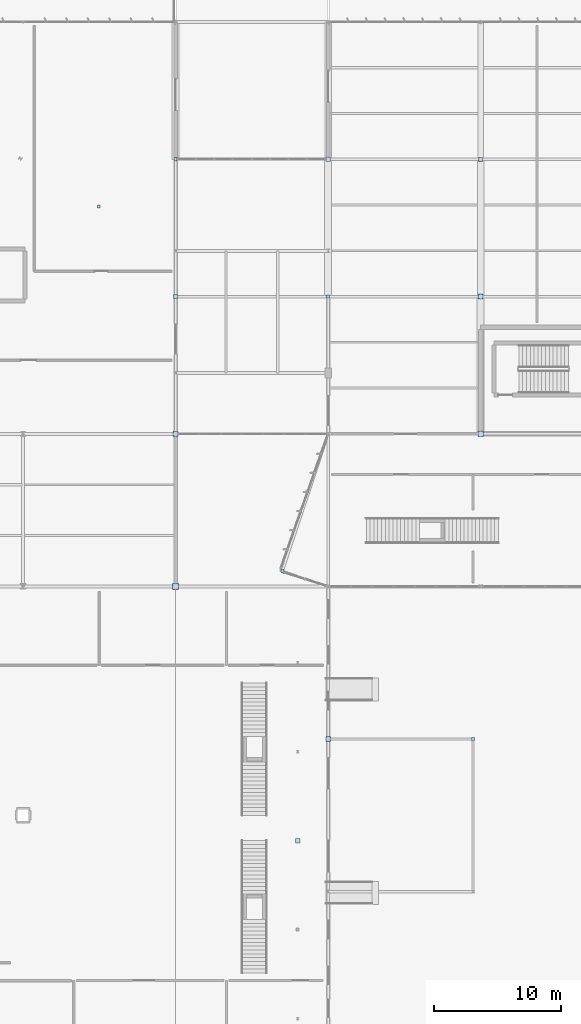
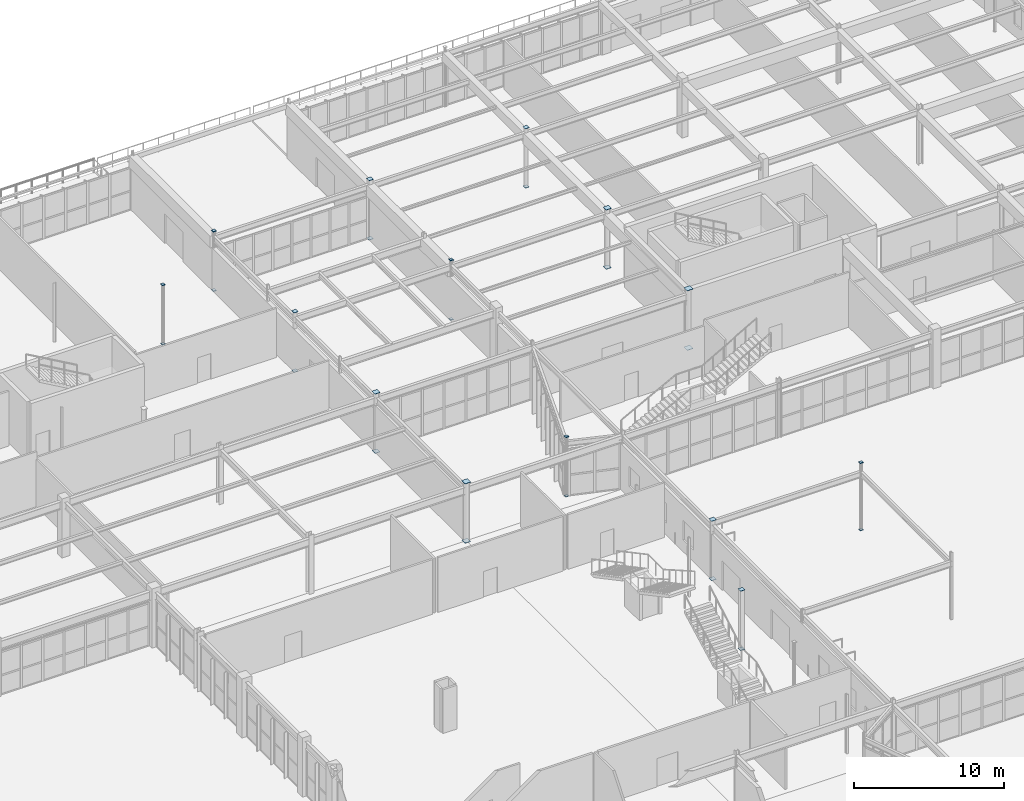
# One storey, part 150 of 199: 28 plates.
"""IFC4 building model written with IfcOpenShell, lengths in metres."""

from ifc_helpers import new_model, si_unit, direction, frame, origin, origin_2d, place, context, subcontext, project, spatial, rectangle, extrude, material, layer, layer_set, type_object, element, save


model = new_model("IFC4")

# Units and contexts
model_context = context("Model", 3, precision=1e-05, world=origin(), true_north=direction((0.0, 1.0)))
body_context = subcontext(model_context, "Body", "Model", "MODEL_VIEW")
ifc_project = project(units=[si_unit("LENGTHUNIT", "METRE"), si_unit("AREAUNIT", "SQUARE_METRE"), si_unit("VOLUMEUNIT", "CUBIC_METRE"), si_unit("PLANEANGLEUNIT", "RADIAN"), si_unit("MASSUNIT", "GRAM", prefix="KILO")], contexts=[model_context])

# Site, building, storey
site_placement = place(None, origin())
site = spatial("IfcSite", under=ifc_project, at=site_placement, CompositionType="ELEMENT")
building_placement = place(site_placement, origin())
building = spatial("IfcBuilding", under=site, at=building_placement, Name="Tarnwether General Hospital", CompositionType="ELEMENT")
storey_placement = place(building_placement, origin())
storey = spatial("IfcBuildingStorey", under=building, at=storey_placement, Name="L00", CompositionType="ELEMENT", Elevation=0.0)

# Plates
ifc_material = material(Name="Steel Grade 350 (350 MPa)", Category="steel")
ifc_layer = layer(ifc_material, 0.02490234375)
ifc_layer_set = layer_set([ifc_layer], Name="Steel Grade 350 (350 MPa)")
plate_type = type_object("IfcPlateType", Name="PT-GUS2", PredefinedType="USERDEFINED", material=ifc_layer_set)
for number, where, z_axis, x_axis, name in (
    (1, (132.0, 81.60009765625, -0.02490234375), (0.0, 0.0, 1.0), (1.0, 0.0, 0.0), "Hollow Section Welded End Cap Plate 0231"),
    (2, (132.0, 81.60009765625, 4.800048828125), (0.0, 0.0, 1.0), (1.0, 0.0, 0.0), "Hollow Section Welded End Cap Plate 0232"),
):
    element("IfcPlate", number, at=place(storey_placement, frame(where, z_axis=z_axis, x_axis=x_axis)), inside=storey, type_object=plate_type, Name=name, ObjectType="GUSSET", PredefinedType="USERDEFINED", context=body_context, shape_type="SweptSolid", body=[
        extrude(rectangle(XDim=0.446044921875, YDim=0.446044921875, at=origin_2d()), origin(), (0.0, 0.0, 1.0), 0.02490234375),
    ])
for number, where, z_axis, x_axis, name in (
    (3, (132.0, 93.60009765625, -0.02490234375), (0.0, 0.0, 1.0), (1.0, 0.0, 0.0), "Hollow Section Welded End Cap Plate 0239"),
    (4, (132.0, 93.60009765625, 4.800048828125), (0.0, 0.0, 1.0), (1.0, 0.0, 0.0), "Hollow Section Welded End Cap Plate 0240"),
):
    element("IfcPlate", number, at=place(storey_placement, frame(where, z_axis=z_axis, x_axis=x_axis)), inside=storey, type_object=plate_type, Name=name, ObjectType="GUSSET", PredefinedType="USERDEFINED", context=body_context, shape_type="SweptSolid", body=[
        extrude(rectangle(XDim=0.39599609375, YDim=0.39599609375, at=origin_2d()), origin(), (0.0, 0.0, 1.0), 0.02490234375),
    ])
for number, where, z_axis, x_axis, name in (
    (5, (132.0, 104.39990234375, -0.02490234375), (0.0, 0.0, 1.0), (1.0, 0.0, 0.0), "Hollow Section Welded End Cap Plate 0247"),
    (6, (132.0, 104.39990234375, 4.800048828125), (0.0, 0.0, 1.0), (1.0, 0.0, 0.0), "Hollow Section Welded End Cap Plate 0248"),
):
    element("IfcPlate", number, at=place(storey_placement, frame(where, z_axis=z_axis, x_axis=x_axis)), inside=storey, type_object=plate_type, Name=name, ObjectType="GUSSET", PredefinedType="USERDEFINED", context=body_context, shape_type="SweptSolid", body=[
        extrude(rectangle(XDim=0.31298828125, YDim=0.31298828125, at=origin_2d()), origin(), (0.0, 0.0, 1.0), 0.02490234375),
    ])
for number, where, z_axis, x_axis, name in (
    (7, (132.0, 115.199951171875, -0.02490234375), (0.0, 0.0, 1.0), (1.0, 0.0, 0.0), "Hollow Section Welded End Cap Plate 0255"),
    (8, (132.0, 115.199951171875, 4.800048828125), (0.0, 0.0, 1.0), (1.0, 0.0, 0.0), "Hollow Section Welded End Cap Plate 0256"),
):
    element("IfcPlate", number, at=place(storey_placement, frame(where, z_axis=z_axis, x_axis=x_axis)), inside=storey, type_object=plate_type, Name=name, ObjectType="GUSSET", PredefinedType="USERDEFINED", context=body_context, shape_type="SweptSolid", body=[
        extrude(rectangle(XDim=0.259033203125, YDim=0.259033203125, at=origin_2d()), origin(), (0.0, 0.0, 1.0), 0.02490234375),
    ])
for number, where, z_axis, x_axis, name in (
    (9, (144.0, 69.60009765625, -0.02490234375), (0.0, 0.0, 1.0), (1.0, 0.0, 0.0), "Hollow Section Welded End Cap Plate 0285"),
    (10, (144.0, 69.60009765625, 4.800048828125), (0.0, 0.0, 1.0), (1.0, 0.0, 0.0), "Hollow Section Welded End Cap Plate 0286"),
):
    element("IfcPlate", number, at=place(storey_placement, frame(where, z_axis=z_axis, x_axis=x_axis)), inside=storey, type_object=plate_type, Name=name, ObjectType="GUSSET", PredefinedType="USERDEFINED", context=body_context, shape_type="SweptSolid", body=[
        extrude(rectangle(XDim=0.364013671875, YDim=0.364013671875, at=origin_2d()), origin(), (0.0, 0.0, 1.0), 0.02490234375),
    ])
for number, where, z_axis, x_axis, name in (
    (11, (144.0, 104.39990234375, -0.02490234375), (0.0, 0.0, 1.0), (1.0, 0.0, 0.0), "Hollow Section Welded End Cap Plate 0297"),
    (12, (144.0, 104.39990234375, 4.800048828125), (0.0, 0.0, 1.0), (1.0, 0.0, 0.0), "Hollow Section Welded End Cap Plate 0298"),
):
    element("IfcPlate", number, at=place(storey_placement, frame(where, z_axis=z_axis, x_axis=x_axis)), inside=storey, type_object=plate_type, Name=name, ObjectType="GUSSET", PredefinedType="USERDEFINED", context=body_context, shape_type="SweptSolid", body=[
        extrude(rectangle(XDim=0.23388671875, YDim=0.23388671875, at=origin_2d()), origin(), (0.0, 0.0, 1.0), 0.02490234375),
    ])
for number, where, z_axis, x_axis, name in (
    (13, (144.0, 115.199951171875, -0.02490234375), (0.0, 0.0, 1.0), (1.0, 0.0, 0.0), "Hollow Section Welded End Cap Plate 0303"),
    (14, (144.0, 115.199951171875, 4.800048828125), (0.0, 0.0, 1.0), (1.0, 0.0, 0.0), "Hollow Section Welded End Cap Plate 0304"),
):
    element("IfcPlate", number, at=place(storey_placement, frame(where, z_axis=z_axis, x_axis=x_axis)), inside=storey, type_object=plate_type, Name=name, ObjectType="GUSSET", PredefinedType="USERDEFINED", context=body_context, shape_type="SweptSolid", body=[
        extrude(rectangle(XDim=0.340087890625, YDim=0.340087890625, at=origin_2d()), origin(), (0.0, 0.0, 1.0), 0.02490234375),
    ])
for number, where, z_axis, x_axis, name in (
    (15, (156.0, 93.60009765625, -0.02490234375), (0.0, 0.0, 1.0), (1.0, 0.0, 0.0), "Hollow Section Welded End Cap Plate 0329"),
    (16, (156.0, 93.60009765625, 4.800048828125), (0.0, 0.0, 1.0), (1.0, 0.0, 0.0), "Hollow Section Welded End Cap Plate 0330"),
):
    element("IfcPlate", number, at=place(storey_placement, frame(where, z_axis=z_axis, x_axis=x_axis)), inside=storey, type_object=plate_type, Name=name, ObjectType="GUSSET", PredefinedType="USERDEFINED", context=body_context, shape_type="SweptSolid", body=[
        extrude(rectangle(XDim=0.446044921875, YDim=0.446044921875, at=origin_2d()), origin(), (0.0, 0.0, 1.0), 0.02490234375),
    ])
for number, where, z_axis, x_axis, name in (
    (17, (156.0, 104.39990234375, -0.02490234375), (0.0, 0.0, 1.0), (1.0, 0.0, 0.0), "Hollow Section Welded End Cap Plate 0339"),
    (18, (156.0, 104.39990234375, 4.800048828125), (0.0, 0.0, 1.0), (1.0, 0.0, 0.0), "Hollow Section Welded End Cap Plate 0340"),
):
    element("IfcPlate", number, at=place(storey_placement, frame(where, z_axis=z_axis, x_axis=x_axis)), inside=storey, type_object=plate_type, Name=name, ObjectType="GUSSET", PredefinedType="USERDEFINED", context=body_context, shape_type="SweptSolid", body=[
        extrude(rectangle(XDim=0.39599609375, YDim=0.39599609375, at=origin_2d()), origin(), (0.0, 0.0, 1.0), 0.02490234375),
    ])
for number, where, z_axis, x_axis, name in (
    (19, (156.0, 115.199951171875, -0.02490234375), (0.0, 0.0, 1.0), (1.0, 0.0, 0.0), "Hollow Section Welded End Cap Plate 0349"),
    (20, (156.0, 115.199951171875, 4.800048828125), (0.0, 0.0, 1.0), (1.0, 0.0, 0.0), "Hollow Section Welded End Cap Plate 0350"),
):
    element("IfcPlate", number, at=place(storey_placement, frame(where, z_axis=z_axis, x_axis=x_axis)), inside=storey, type_object=plate_type, Name=name, ObjectType="GUSSET", PredefinedType="USERDEFINED", context=body_context, shape_type="SweptSolid", body=[
        extrude(rectangle(XDim=0.31298828125, YDim=0.31298828125, at=origin_2d()), origin(), (0.0, 0.0, 1.0), 0.02490234375),
    ])
for number, where, z_axis, x_axis, name in (
    (21, (141.60009765625, 61.60009765625, -0.02490234375), (0.0, 0.0, 1.0), (1.0, 0.0, 0.0), "Hollow Section Welded End Cap Plate 0443"),
    (22, (141.60009765625, 61.60009765625, 4.800048828125), (0.0, 0.0, 1.0), (1.0, 0.0, 0.0), "Hollow Section Welded End Cap Plate 0444"),
):
    element("IfcPlate", number, at=place(storey_placement, frame(where, z_axis=z_axis, x_axis=x_axis)), inside=storey, type_object=plate_type, Name=name, ObjectType="GUSSET", PredefinedType="USERDEFINED", context=body_context, shape_type="SweptSolid", body=[
        extrude(rectangle(XDim=0.340087890625, YDim=0.340087890625, at=origin_2d()), origin(), (0.0, 0.0, 1.0), 0.02490234375),
    ])
for number, where, z_axis, x_axis, name in (
    (23, (125.9560546875, 111.493896484375, -0.02490234375), (0.0, 0.0, 1.0), (1.0, 0.0, 0.0), "Hollow Section Welded End Cap Plate 0597"),
    (24, (125.9560546875, 111.493896484375, 4.800048828125), (0.0, 0.0, 1.0), (1.0, 0.0, 0.0), "Hollow Section Welded End Cap Plate 0598"),
    (25, (155.39990234375, 69.60009765625, -0.02490234375), (0.0, 0.0, 1.0), (1.0, 0.0, 0.0), "Hollow Section Welded End Cap Plate 0779"),
    (26, (155.39990234375, 69.60009765625, 5.449951171875), (0.0, 0.0, 1.0), (1.0, 0.0, 0.0), "Hollow Section Welded End Cap Plate 0780"),
    (27, (140.39990234375, 82.800048828125, -0.02490234375), (0.0, 0.0, 1.0), (1.0, 0.0, 0.0), "Hollow Section Welded End Cap Plate 0791"),
    (28, (140.39990234375, 82.800048828125, 4.800048828125), (0.0, 0.0, 1.0), (1.0, 0.0, 0.0), "Hollow Section Welded End Cap Plate 0792"),
):
    element("IfcPlate", number, at=place(storey_placement, frame(where, z_axis=z_axis, x_axis=x_axis)), inside=storey, type_object=plate_type, Name=name, ObjectType="GUSSET", PredefinedType="USERDEFINED", context=body_context, shape_type="SweptSolid", body=[
        extrude(rectangle(XDim=0.23388671875, YDim=0.23388671875, at=origin_2d()), origin(), (0.0, 0.0, 1.0), 0.02490234375),
    ])

save(model, "model.ifc")
